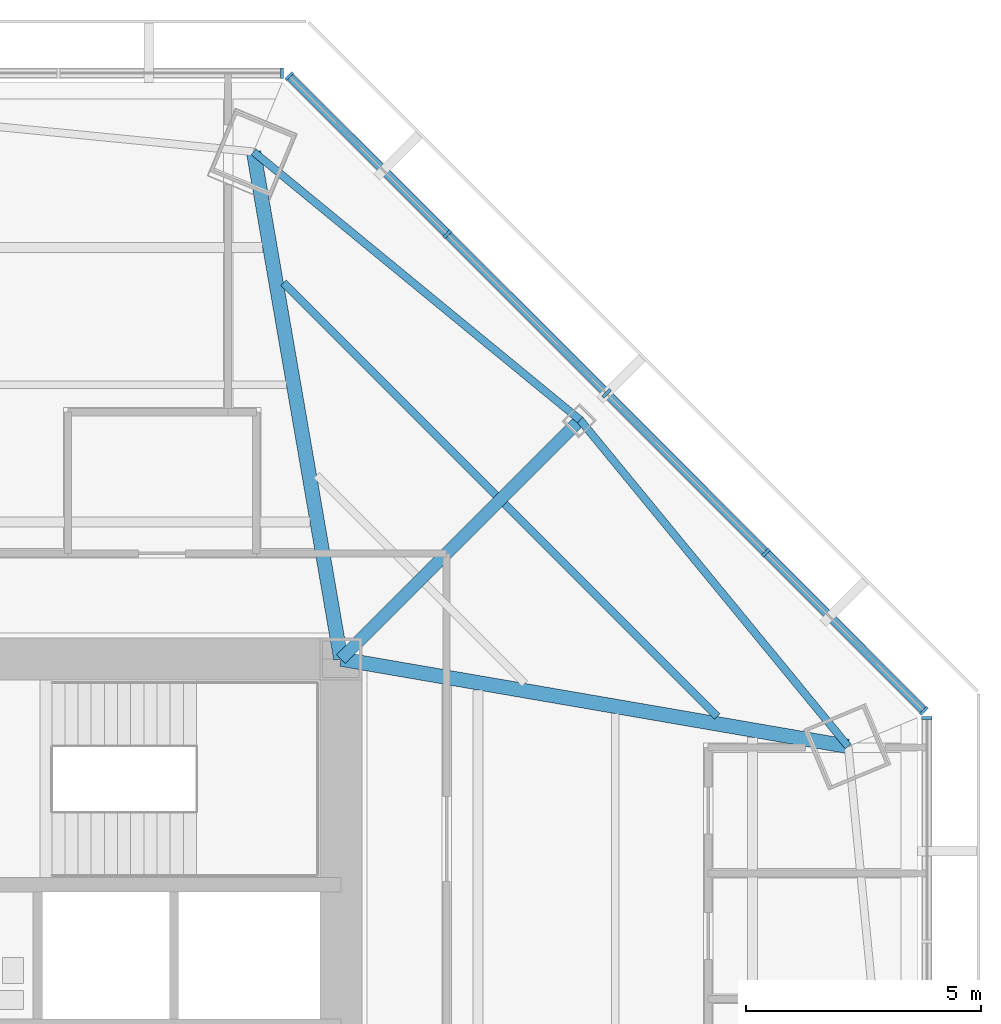
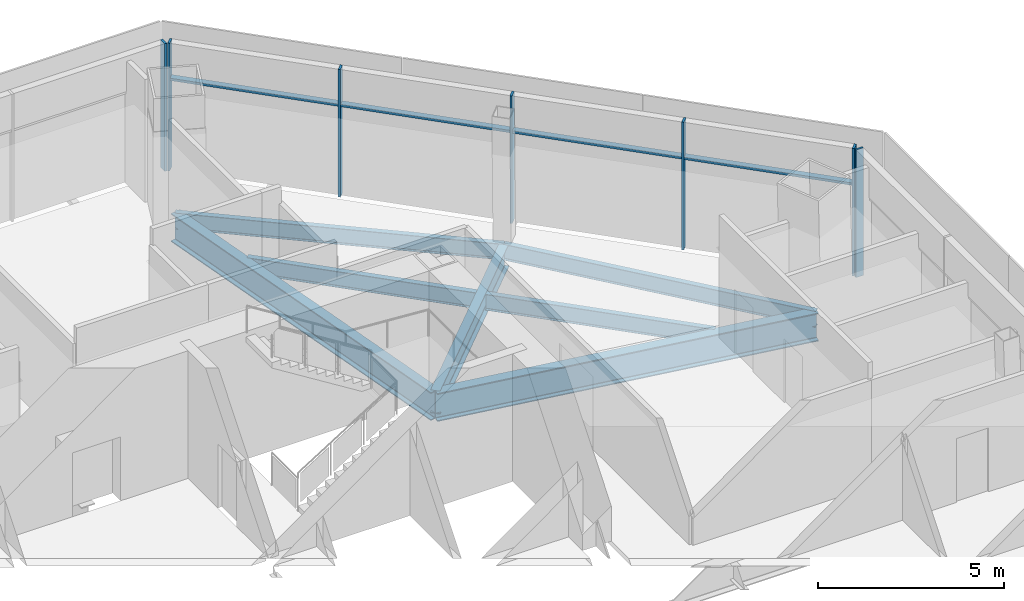
# One storey, part 6 of 15: 11 members, 7 beams, 3 elements without a shape of their own.
"""IFC4 building model written with IfcOpenShell, lengths in metres."""

from ifc_helpers import new_model, si_unit, direction, frame, origin, origin_2d, place, context, subcontext, project, spatial, rectangle, i_section, extrude, source, transform, mapped, material, material_profile, profile_set, type_object, type_shapes, element, aggregate, save


model = new_model("IFC4")

# Units and contexts
model_context = context("Model", 3, precision=1e-05, world=origin(), true_north=direction((0.0, 1.0)))
body_context = subcontext(model_context, "Body", "Model", "MODEL_VIEW")
ifc_project = project(units=[si_unit("LENGTHUNIT", "METRE"), si_unit("AREAUNIT", "SQUARE_METRE"), si_unit("VOLUMEUNIT", "CUBIC_METRE"), si_unit("PLANEANGLEUNIT", "RADIAN"), si_unit("MASSUNIT", "GRAM", prefix="KILO")], contexts=[model_context])

# Site, building, storey
site_placement = place(None, origin())
site = spatial("IfcSite", under=ifc_project, at=site_placement, CompositionType="ELEMENT")
building_placement = place(site_placement, origin())
building = spatial("IfcBuilding", under=site, at=building_placement, Name="Mashrafa Tower", CompositionType="ELEMENT")
storey_placement = place(building_placement, frame((0.0, 0.0, 168.0)))
storey = spatial("IfcBuildingStorey", under=building, at=storey_placement, Name="L38", CompositionType="ELEMENT", Elevation=168.0)

# Beams
ifc_material_1 = material(Name="Steel ASTM A992", Category="steel")
ifc_material_profile_1 = material_profile(ifc_material_1, i_section(OverallWidth=0.1650390625, OverallDepth=0.52587890625, WebThickness=0.0087890625, FlangeThickness=0.011474609375, FilletRadius=0.0126953125, at=origin_2d()), Name="W21X44")
ifc_profile_set_1 = profile_set([ifc_material_profile_1], Name="Steel ASTM A992")
beam_type_1 = type_object("IfcBeamType", Name="Beam W21X44", PredefinedType="BEAM", material=ifc_profile_set_1)
for number, where, z_axis, x_axis, name in (
    (1, (9.57763671875, 18.80419921875, -0.427978515625), (0.707125882114, -0.707087679743, 0.0), (0.707087679743, 0.707125882114, 0.0), "Floor beam L38 025"),
    (2, (14.285400390625, 14.0966796875, -0.427978515625), (0.707087679743, -0.707125882114, 0.0), (0.707125882114, 0.707087679743, 0.0), "Floor beam L38 034"),
):
    element("IfcBeam", number, at=place(storey_placement, frame(where, z_axis=z_axis, x_axis=x_axis)), inside=storey, type_object=beam_type_1, Name=name, PredefinedType="BEAM", context=body_context, shape_type="SweptSolid", body=[
        extrude(i_section(OverallWidth=0.1650390625, OverallDepth=0.52587890625, WebThickness=0.0087890625, FlangeThickness=0.011474609375, FilletRadius=0.0126953125, at=origin_2d()), origin(), (0.0, 0.0, 1.0), 6.390625),
    ])
for number, where, z_axis, x_axis, name in (
    (3, (15.886474609375, 15.886474609375, -0.427978515625), (-0.772831431566, 0.634611360112, 0.0), (-0.634611360112, -0.772831431566, 0.0), "Spandrel beam L38 069"),
    (4, (21.588623046875, 8.9423828125, -0.427978515625), (-0.634611360112, 0.772831431566, 0.0), (-0.772831431566, -0.634611360112, 0.0), "Spandrel beam L38 071"),
):
    element("IfcBeam", number, at=place(storey_placement, frame(where, z_axis=z_axis, x_axis=x_axis)), inside=storey, type_object=beam_type_1, Name=name, PredefinedType="BEAM", context=body_context, shape_type="SweptSolid", body=[
        extrude(i_section(OverallWidth=0.1650390625, OverallDepth=0.52587890625, WebThickness=0.0087890625, FlangeThickness=0.011474609375, FilletRadius=0.0126953125, at=origin_2d()), origin(), (0.0, 0.0, 1.0), 8.9853515625),
    ])
ifc_material_2 = material(Name="Steel ASTM A992", Category="steel")
ifc_material_profile_2 = material_profile(ifc_material_2, i_section(OverallWidth=0.2666015625, OverallDepth=0.75439453125, WebThickness=0.01318359375, FlangeThickness=0.01708984375, FilletRadius=0.0166015625, at=origin_2d()), Name="W30X99")
ifc_profile_set_2 = profile_set([ifc_material_profile_2], Name="Steel ASTM A992")
beam_type_2 = type_object("IfcBeamType", Name="Beam W30X99", PredefinedType="BEAM", material=ifc_profile_set_2)
beam_placement = place(storey_placement, frame((10.800048828125, 10.800048828125, -0.542236328125), z_axis=(0.707106781187, 0.707106781187, 0.0), x_axis=(-0.707106781187, 0.707106781187, 0.0)))
element("IfcBeam", 5, at=beam_placement, inside=storey, type_object=beam_type_2, Name="Radial girder L38 055", PredefinedType="BEAM", context=body_context, shape_type="SweptSolid", body=[
    extrude(i_section(OverallWidth=0.2666015625, OverallDepth=0.75439453125, WebThickness=0.01318359375, FlangeThickness=0.01708984375, FilletRadius=0.0166015625, at=origin_2d()), origin(), (0.0, 0.0, 1.0), 7.193359375),
])
ifc_material_3 = material(Name="Steel ASTM A992", Category="steel")
ifc_material_profile_3 = material_profile(ifc_material_3, i_section(OverallWidth=0.307373046875, OverallDepth=0.927001953125, WebThickness=0.01953125, FlangeThickness=0.031982421875, FilletRadius=0.01904296875, at=origin_2d()), Name="W36X194")
ifc_profile_set_3 = profile_set([ifc_material_profile_3], Name="Steel ASTM A992")
beam_type_3 = type_object("IfcBeamType", Name="Beam W36X194", PredefinedType="BEAM", material=ifc_profile_set_3)
for number, where, z_axis, x_axis, name in (
    (6, (10.800048828125, 10.800048828125, -0.628662109375), (-0.169691083637, 0.985497303971, 0.0), (-0.985497303971, -0.169691083637, 0.0), "Radial girder L38 054"),
    (7, (10.800048828125, 10.800048828125, -0.628662109375), (0.985497303971, -0.169691083637, 0.0), (0.169691083637, 0.985497303971, 0.0), "Radial girder L38 056"),
):
    element("IfcBeam", number, at=place(storey_placement, frame(where, z_axis=z_axis, x_axis=x_axis)), inside=storey, type_object=beam_type_3, Name=name, PredefinedType="BEAM", context=body_context, shape_type="SweptSolid", body=[
        extrude(i_section(OverallWidth=0.307373046875, OverallDepth=0.927001953125, WebThickness=0.01953125, FlangeThickness=0.031982421875, FilletRadius=0.01904296875, at=origin_2d()), origin(), (0.0, 0.0, 1.0), 10.947265625),
    ])

# Curtain wall, member
ifc_material_4 = material(Name="Unitised aluminium curtain wall", Category="aluminium")
curtain_wall_type = type_object("IfcCurtainWallType", Name="Office curtain wall, zone 2 CW-B 225 deep", PredefinedType="NOTDEFINED", material=ifc_material_4)
curtain_wall_1_placement = place(storey_placement, origin())
curtain_wall_1 = element("IfcCurtainWall", 8, at=curtain_wall_1_placement, inside=storey, type_object=curtain_wall_type, Name="Office curtain wall, zone 2 L38 east", PredefinedType="NOTDEFINED")
ifc_material_5 = material(Name="Extruded aluminium mullion", Category="aluminium")
ifc_material_profile_4 = material_profile(ifc_material_5, rectangle(XDim=0.22509765625, YDim=0.06494140625, at=origin_2d()), Name="Mullion 65x225")
ifc_profile_set_4 = profile_set([ifc_material_profile_4], Name="Extruded aluminium mullion")
member_type_1 = type_object("IfcMemberType", Name="Mullion CW-B 65 x 225", PredefinedType="MULLION", material=ifc_profile_set_4)
shared_shape_1 = source(origin(), body_context, "Body", "SweptSolid", [
    extrude(rectangle(XDim=0.22509765625, YDim=0.06494140625, at=origin_2d()), origin(), (0.0, 0.0, 1.0), 4.199951171875),
])
type_shapes(member_type_1, [shared_shape_1])
member_1_placement = place(storey_placement, frame((23.26220703125, 9.54638671875, 0.0), z_axis=(0.0, 0.0, 1.0), x_axis=(-1.0, 0.0, 0.0)))
member_1 = element("IfcMember", 9, at=member_1_placement, type_object=member_type_1, Name="CW-B mullion 5", PredefinedType="MULLION", context=body_context, shape_type="MappedRepresentation", body=[
    mapped(shared_shape_1, transform((0.0, 0.0, 0.0))),
])
aggregate(curtain_wall_1, [member_1])

# Curtain wall, members
curtain_wall_2_placement = place(storey_placement, origin())
curtain_wall_2 = element("IfcCurtainWall", 10, at=curtain_wall_2_placement, inside=storey, type_object=curtain_wall_type, Name="Office curtain wall, zone 2 L38 north-east", PredefinedType="NOTDEFINED")
member_2_placement = place(storey_placement, frame((23.19921875, 9.698486328125, 0.0), z_axis=(0.0, 0.0, 1.0), x_axis=(-0.707106781187, -0.707106781187, 0.0)))
member_2 = element("IfcMember", 11, at=member_2_placement, type_object=member_type_1, Name="CW-B mullion 1", PredefinedType="MULLION", context=body_context, shape_type="MappedRepresentation", body=[
    mapped(shared_shape_1, transform((0.0, 0.0, 0.0))),
])
member_3_placement = place(storey_placement, frame((19.83544921875, 13.062255859375, 0.0), z_axis=(0.0, 0.0, 1.0), x_axis=(-0.707106781187, -0.707106781187, 0.0)))
member_3 = element("IfcMember", 12, at=member_3_placement, type_object=member_type_1, Name="CW-B mullion 2", PredefinedType="MULLION", context=body_context, shape_type="MappedRepresentation", body=[
    mapped(shared_shape_1, transform((0.0, 0.0, 0.0))),
])
member_4_placement = place(storey_placement, frame((16.448974609375, 16.448974609375, 0.0), z_axis=(0.0, 0.0, 1.0), x_axis=(-0.707106781187, -0.707106781187, 0.0)))
member_4 = element("IfcMember", 13, at=member_4_placement, type_object=member_type_1, Name="CW-B mullion 3", PredefinedType="MULLION", context=body_context, shape_type="MappedRepresentation", body=[
    mapped(shared_shape_1, transform((0.0, 0.0, 0.0))),
])
member_5_placement = place(storey_placement, frame((13.062255859375, 19.83544921875, 0.0), z_axis=(0.0, 0.0, 1.0), x_axis=(-0.707106781187, -0.707106781187, 0.0)))
member_5 = element("IfcMember", 14, at=member_5_placement, type_object=member_type_1, Name="CW-B mullion 4", PredefinedType="MULLION", context=body_context, shape_type="MappedRepresentation", body=[
    mapped(shared_shape_1, transform((0.0, 0.0, 0.0))),
])
member_6_placement = place(storey_placement, frame((9.698486328125, 23.19921875, 0.0), z_axis=(0.0, 0.0, 1.0), x_axis=(-0.707106781187, -0.707106781187, 0.0)))
member_6 = element("IfcMember", 15, at=member_6_placement, type_object=member_type_1, Name="CW-B mullion 5", PredefinedType="MULLION", context=body_context, shape_type="MappedRepresentation", body=[
    mapped(shared_shape_1, transform((0.0, 0.0, 0.0))),
])

# Curtain wall, member
curtain_wall_3_placement = place(storey_placement, origin())
curtain_wall_3 = element("IfcCurtainWall", 16, at=curtain_wall_3_placement, inside=storey, type_object=curtain_wall_type, Name="Office curtain wall, zone 2 L38 north", PredefinedType="NOTDEFINED")
member_7_placement = place(storey_placement, frame((9.54638671875, 23.26220703125, 0.0), z_axis=(0.0, 0.0, 1.0), x_axis=(0.0, -1.0, 0.0)))
member_7 = element("IfcMember", 17, at=member_7_placement, type_object=member_type_1, Name="CW-B mullion 1", PredefinedType="MULLION", context=body_context, shape_type="MappedRepresentation", body=[
    mapped(shared_shape_1, transform((0.0, 0.0, 0.0))),
])
aggregate(curtain_wall_3, [member_7])

# Member
ifc_material_6 = material(Name="Extruded aluminium transom", Category="aluminium")
ifc_material_profile_5 = material_profile(ifc_material_6, rectangle(XDim=0.179931640625, YDim=0.080078125, at=origin_2d()), Name="Transom 80x180")
ifc_profile_set_5 = profile_set([ifc_material_profile_5], Name="Extruded aluminium transom")
member_type_2 = type_object("IfcMemberType", Name="Transom CW-B 80 x 180", PredefinedType="MULLION", material=ifc_profile_set_5)
shared_shape_2 = source(origin(), body_context, "Body", "SweptSolid", [
    extrude(rectangle(XDim=0.179931640625, YDim=0.080078125, at=origin_2d()), origin(), (0.0, 0.0, 1.0), 4.69189453125),
])
member_8_placement = place(storey_placement, frame((23.17626953125, 9.721435546875, 3.0), z_axis=(-0.707080764049, 0.707132797367, 0.0), x_axis=(-0.707132797367, -0.707080764049, 0.0)))
member_8 = element("IfcMember", 18, at=member_8_placement, type_object=member_type_2, Name="CW-B transom 1", PredefinedType="MULLION", context=body_context, shape_type="MappedRepresentation", body=[
    mapped(shared_shape_2, transform((0.0, 0.0, 0.0))),
])

member_9_placement = place(storey_placement, frame((13.039306640625, 19.858642578125, 3.0), z_axis=(-0.707132797367, 0.707080764049, 0.0), x_axis=(-0.707080764049, -0.707132797367, 0.0)))
member_9 = element("IfcMember", 19, at=member_9_placement, type_object=member_type_2, Name="CW-B transom 4", PredefinedType="MULLION", context=body_context, shape_type="MappedRepresentation", body=[
    mapped(shared_shape_2, transform((0.0, 0.0, 0.0))),
])

shared_shape_3 = source(origin(), body_context, "Body", "SweptSolid", [
    extrude(rectangle(XDim=0.179931640625, YDim=0.080078125, at=origin_2d()), origin(), (0.0, 0.0, 1.0), 4.724365234375),
])
type_shapes(member_type_2, [shared_shape_2, shared_shape_3])
member_10_placement = place(storey_placement, frame((19.8125, 13.085205078125, 3.0), z_axis=(-0.707080942779, 0.70713261865, 0.0), x_axis=(-0.70713261865, -0.707080942779, 0.0)))
member_10 = element("IfcMember", 20, at=member_10_placement, type_object=member_type_2, Name="CW-B transom 2", PredefinedType="MULLION", context=body_context, shape_type="MappedRepresentation", body=[
    mapped(shared_shape_3, transform((0.0, 0.0, 0.0))),
])

member_11_placement = place(storey_placement, frame((16.426025390625, 16.471923828125, 3.0), z_axis=(-0.70713261865, 0.707080942779, 0.0), x_axis=(-0.707080942779, -0.70713261865, 0.0)))
member_11 = element("IfcMember", 21, at=member_11_placement, type_object=member_type_2, Name="CW-B transom 3", PredefinedType="MULLION", context=body_context, shape_type="MappedRepresentation", body=[
    mapped(shared_shape_3, transform((0.0, 0.0, 0.0))),
])

aggregate(curtain_wall_2, [member_2, member_3, member_4, member_5, member_6, member_8, member_10, member_11, member_9])

save(model, "model.ifc")
